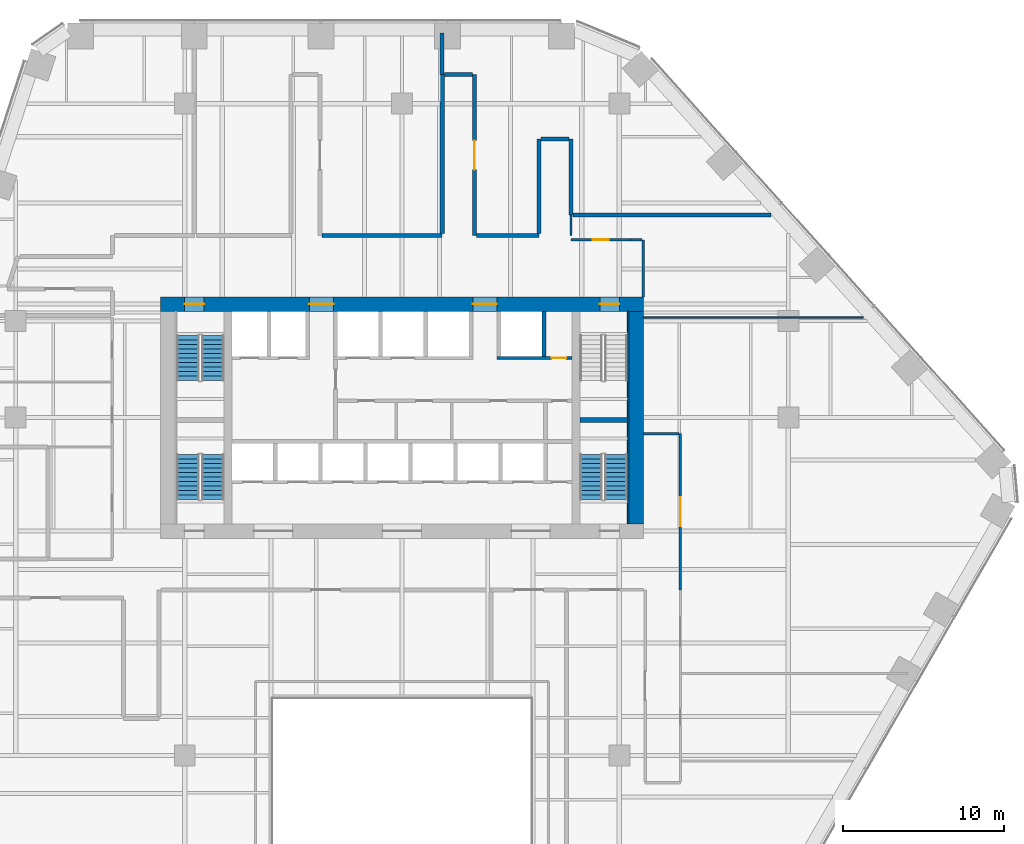
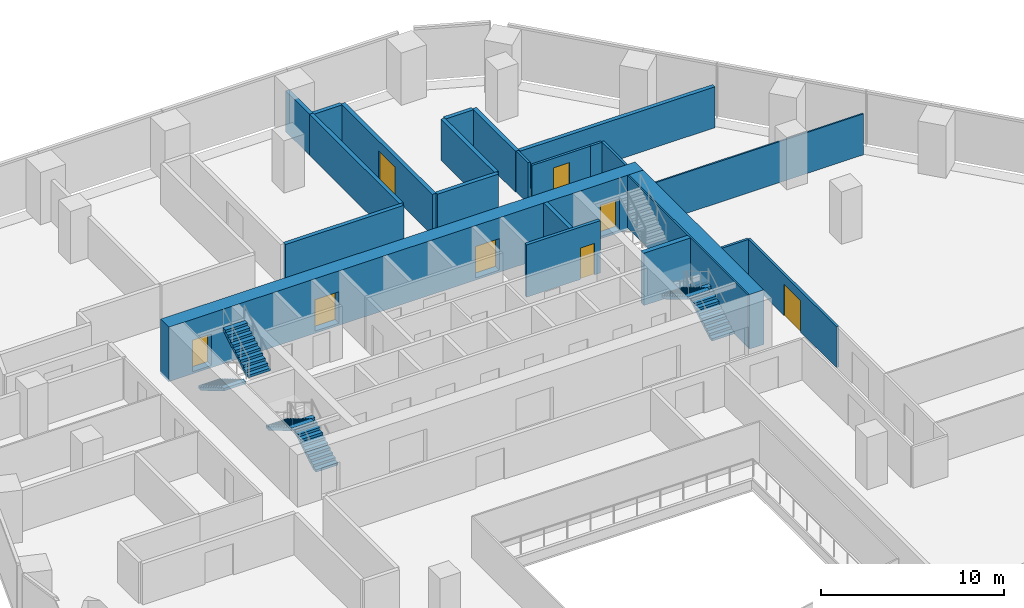
# One storey, part 16 of 21: 23 walls, 8 doors, 6 stair flights, 8 openings, 3 elements without a shape of their own.
"""IFC4 building model written with IfcOpenShell, lengths in metres."""

from ifc_helpers import new_model, si_unit, direction, frame, frame_2d, origin, place, context, subcontext, project, spatial, polyline, rectangle, outline, extrude, material, layer, layer_set, type_object, element, fill, aggregate, save


model = new_model("IFC4")

# Units and contexts
model_context = context("Model", 3, precision=1e-05, world=origin(), true_north=direction((0.0, 1.0)))
body_context = subcontext(model_context, "Body", "Model", "MODEL_VIEW")
ifc_project = project(units=[si_unit("LENGTHUNIT", "METRE"), si_unit("AREAUNIT", "SQUARE_METRE"), si_unit("VOLUMEUNIT", "CUBIC_METRE"), si_unit("PLANEANGLEUNIT", "RADIAN"), si_unit("MASSUNIT", "GRAM", prefix="KILO")], contexts=[model_context])

# Site, building, storey
site_placement = place(None, origin())
site = spatial("IfcSite", under=ifc_project, at=site_placement, CompositionType="ELEMENT")
building_placement = place(site_placement, origin())
building = spatial("IfcBuilding", under=site, at=building_placement, Name="Isthmus Gate Tower", CompositionType="ELEMENT")
storey_placement = place(building_placement, frame((0.0, 0.0, 102.550048828125)))
storey = spatial("IfcBuildingStorey", under=building, at=storey_placement, Name="L24", CompositionType="ELEMENT", Elevation=102.550048828125)

# Wall, opening, door
ifc_material_1 = material(Name="Double-leaf acoustic stud wall, fire-rated", Category="gypsum")
ifc_layer_1 = layer(ifc_material_1, 0.25)
ifc_layer_set_1 = layer_set([ifc_layer_1], Name="ACOUSTIC WALL 250 60 MIN")
wall_type_1 = type_object("IfcWallType", Name="ACOUSTIC WALL 250 60 MIN", PredefinedType="PARTITIONING", material=ifc_layer_set_1)
wall_1_placement = place(storey_placement, frame((4.5, 28.800048828125, 0.0), z_axis=(0.0, 0.0, 1.0), x_axis=(0.0, -1.0, 0.0)))
wall_1 = element("IfcWall", 1, at=wall_1_placement, inside=storey, type_object=wall_type_1, Name="L24 Acoustic Wall 250 60 Min", PredefinedType="PARTITIONING", context=body_context, shape_type="SweptSolid", body=[
    extrude(rectangle(XDim=10.0, YDim=0.25, at=frame_2d((5.0, 0.0))), origin(), (0.0, 0.0, 1.0), 2.7412109375),
])
opening_1_placement = place(wall_1_placement, frame((4.10009765625, 0.0, 0.0)))
opening_1 = element("IfcOpeningElement", 2, at=opening_1_placement, cuts=wall_1, Name="Opening DT-T2C-03", PredefinedType="OPENING", context=body_context, shape_type="SweptSolid", body=[
    extrude(rectangle(XDim=1.800048828125, YDim=2.10009765625, at=frame_2d((0.89990234375, 1.050048828125))), frame((0.0, 0.135009765625, 0.0), z_axis=(0.0, -1.0, 0.0), x_axis=(1.0, 0.0, 0.0)), (0.0, 0.0, 1.0), 0.27001953125),
])
ifc_material_2 = material(Name="Solid core timber door leaf, fire-rated", Category="wood")
door_type_1 = type_object("IfcDoorType", Name="FIRE DOOR ACOUSTIC ROOM 1800 X 2100 60 MIN", OperationType="DOUBLE_DOOR_DOUBLE_SWING", PredefinedType="DOOR", material=ifc_material_2)
door_1_placement = place(opening_1_placement, origin())
door_1 = element("IfcDoor", 3, at=door_1_placement, inside=storey, type_object=door_type_1, Name="L24 room door", OperationType="DOUBLE_DOOR_DOUBLE_SWING", OverallHeight=2.10009765625, OverallWidth=1.800048828125, PredefinedType="DOOR", context=body_context, shape_type="SweptSolid", body=[
    extrude(rectangle(XDim=1.800048828125, YDim=2.10009765625, at=frame_2d((0.89990234375, 1.050048828125))), frame((0.0, 0.02490234375, 0.0), z_axis=(0.0, -1.0, 0.0), x_axis=(1.0, 0.0, 0.0)), (0.0, 0.0, 1.0), 0.050048828125),
])
fill(opening_1, door_1)

# Walls
wall_2_placement = place(storey_placement, frame((10.5, 24.800048828125, 0.0), z_axis=(0.0, 0.0, 1.0), x_axis=(0.0, -1.0, 0.0)))
element("IfcWall", 4, at=wall_2_placement, inside=storey, type_object=wall_type_1, Name="L24 Acoustic Wall 250 60 Min", PredefinedType="PARTITIONING", context=body_context, shape_type="SweptSolid", body=[
    extrude(rectangle(XDim=4.7080078125, YDim=0.25, at=frame_2d((2.35400390625, 0.0))), origin(), (0.0, 0.0, 1.0), 2.7412109375),
])
wall_3_placement = place(storey_placement, frame((-4.97509765625, 18.800048828125, 0.0), z_axis=(0.0, 0.0, 1.0), x_axis=(1.0, 0.0, 0.0)))
element("IfcWall", 5, at=wall_3_placement, inside=storey, type_object=wall_type_1, Name="L24 Acoustic Wall 250 60 Min", PredefinedType="PARTITIONING", context=body_context, shape_type="SweptSolid", body=[
    extrude(rectangle(XDim=7.47509765625, YDim=0.25, at=frame_2d((3.737548828125, 0.0))), origin(), (0.0, 0.0, 1.0), 2.7412109375),
])
wall_4_placement = place(storey_placement, frame((2.5, 18.925048828125, 0.0), z_axis=(0.0, 0.0, 1.0), x_axis=(0.0, 1.0, 0.0)))
element("IfcWall", 6, at=wall_4_placement, inside=storey, type_object=wall_type_1, Name="L24 Acoustic Wall 250 60 Min", PredefinedType="PARTITIONING", context=body_context, shape_type="SweptSolid", body=[
    extrude(rectangle(XDim=9.875, YDim=0.25, at=frame_2d((4.9375, 0.0))), origin(), (0.0, 0.0, 1.0), 2.7412109375),
])
wall_5_placement = place(storey_placement, frame((2.498046875, 28.800048828125, 0.0), z_axis=(0.0, 0.0, 1.0), x_axis=(0.0, 1.0, 0.0)))
element("IfcWall", 7, at=wall_5_placement, inside=storey, type_object=wall_type_1, Name="L24 Acoustic Wall 250 60 Min", PredefinedType="PARTITIONING", context=body_context, shape_type="SweptSolid", body=[
    extrude(rectangle(XDim=2.599853515625, YDim=0.25, at=frame_2d((1.2998046875, 0.0))), origin(), (0.0, 0.0, 1.0), 2.7412109375),
])
wall_6_placement = place(storey_placement, frame((2.625, 28.800048828125, 0.0), z_axis=(0.0, 0.0, 1.0), x_axis=(1.0, 0.0, 0.0)))
element("IfcWall", 8, at=wall_6_placement, inside=storey, type_object=wall_type_1, Name="L24 Acoustic Wall 250 60 Min", PredefinedType="PARTITIONING", context=body_context, shape_type="SweptSolid", body=[
    extrude(rectangle(XDim=1.75, YDim=0.25, at=frame_2d((0.875, 0.0))), origin(), (0.0, 0.0, 1.0), 2.7412109375),
])
wall_7_placement = place(storey_placement, frame((4.625, 18.800048828125, 0.0), z_axis=(0.0, 0.0, 1.0), x_axis=(1.0, 0.0, 0.0)))
element("IfcWall", 9, at=wall_7_placement, inside=storey, type_object=wall_type_1, Name="L24 Acoustic Wall 250 60 Min", PredefinedType="PARTITIONING", context=body_context, shape_type="SweptSolid", body=[
    extrude(rectangle(XDim=3.875, YDim=0.25, at=frame_2d((1.9375, 0.0))), origin(), (0.0, 0.0, 1.0), 2.7412109375),
])
wall_8_placement = place(storey_placement, frame((8.5, 18.925048828125, 0.0), z_axis=(0.0, 0.0, 1.0), x_axis=(0.0, 1.0, 0.0)))
element("IfcWall", 10, at=wall_8_placement, inside=storey, type_object=wall_type_1, Name="L24 Acoustic Wall 250 60 Min", PredefinedType="PARTITIONING", context=body_context, shape_type="SweptSolid", body=[
    extrude(rectangle(XDim=5.875, YDim=0.25, at=frame_2d((2.9375, 0.0))), origin(), (0.0, 0.0, 1.0), 2.7412109375),
])
wall_9_placement = place(storey_placement, frame((8.625, 24.800048828125, 0.0), z_axis=(0.0, 0.0, 1.0), x_axis=(1.0, 0.0, 0.0)))
element("IfcWall", 11, at=wall_9_placement, inside=storey, type_object=wall_type_1, Name="L24 Acoustic Wall 250 60 Min", PredefinedType="PARTITIONING", context=body_context, shape_type="SweptSolid", body=[
    extrude(rectangle(XDim=1.75, YDim=0.25, at=frame_2d((0.875, 0.0))), origin(), (0.0, 0.0, 1.0), 2.7412109375),
])
wall_10_placement = place(storey_placement, frame((10.625, 20.092041015625, 0.0), z_axis=(0.0, 0.0, 1.0), x_axis=(1.0, 0.0, 0.0)))
element("IfcWall", 12, at=wall_10_placement, inside=storey, type_object=wall_type_1, Name="L24 Acoustic Wall 250 60 Min", PredefinedType="PARTITIONING", context=body_context, shape_type="SweptSolid", body=[
    extrude(rectangle(XDim=12.2958984375, YDim=0.25, at=frame_2d((6.14794921875, 0.0))), origin(), (0.0, 0.0, 1.0), 2.7412109375),
])
ifc_material_3 = material(Name="Gypsum board on steel studs, fire-rated", Category="steel")
ifc_layer_2 = layer(ifc_material_3, 0.14990234375)
ifc_layer_set_2 = layer_set([ifc_layer_2], Name="CORRIDOR WALL 150 60 MIN")
wall_type_2 = type_object("IfcWallType", Name="CORRIDOR WALL 150 60 MIN", PredefinedType="PARTITIONING", material=ifc_layer_set_2)
wall_11_placement = place(storey_placement, frame((10.5, 20.092041015625, 0.0), z_axis=(0.0, 0.0, 1.0), x_axis=(0.0, -1.0, 0.0)))
element("IfcWall", 13, at=wall_11_placement, inside=storey, type_object=wall_type_2, Name="L24 Corridor Wall 150 60 Min", PredefinedType="PARTITIONING", context=body_context, shape_type="SweptSolid", body=[
    extrude(rectangle(XDim=1.2900390625, YDim=0.14990234375, at=frame_2d((0.64501953125, 0.0))), origin(), (0.0, 0.0, 1.0), 2.7412109375),
])
wall_12_placement = place(storey_placement, frame((15.0, 18.5419921875, 0.0), z_axis=(0.0, 0.0, 1.0), x_axis=(0.0, -1.0, 0.0)))
element("IfcWall", 14, at=wall_12_placement, inside=storey, type_object=wall_type_2, Name="L24 Corridor Wall 150 60 Min", PredefinedType="PARTITIONING", context=body_context, shape_type="SweptSolid", body=[
    extrude(rectangle(XDim=3.5419921875, YDim=0.14990234375, at=frame_2d((1.77099609375, 0.0))), origin(), (0.0, 0.0, 1.0), 2.7412109375),
])

# Wall, opening, door
wall_13_placement = place(storey_placement, frame((17.298095703125, 6.5, 0.0), z_axis=(0.0, 0.0, 1.0), x_axis=(0.0, -1.0, 0.0)))
wall_13 = element("IfcWall", 15, at=wall_13_placement, inside=storey, type_object=wall_type_2, Name="L24 Corridor Wall 150 60 Min", PredefinedType="PARTITIONING", context=body_context, shape_type="SweptSolid", body=[
    extrude(rectangle(XDim=9.701904296875, YDim=0.14990234375, at=frame_2d((4.85107421875, 0.0))), origin(), (0.0, 0.0, 1.0), 2.7412109375),
])
opening_2_placement = place(wall_13_placement, frame((3.950927734375, 0.0, 0.0)))
opening_2 = element("IfcOpeningElement", 16, at=opening_2_placement, cuts=wall_13, Name="Opening DT-T2C-08", PredefinedType="OPENING", context=body_context, shape_type="SweptSolid", body=[
    extrude(rectangle(XDim=1.800048828125, YDim=2.10009765625, at=frame_2d((0.89990234375, 1.050048828125))), frame((0.0, 0.0849609375, 0.0), z_axis=(0.0, -1.0, 0.0), x_axis=(1.0, 0.0, 0.0)), (0.0, 0.0, 1.0), 0.169921875),
])
ifc_material_4 = material(Name="Solid core timber door leaf, fire-rated", Category="wood")
door_type_2 = type_object("IfcDoorType", Name="FIRE DOOR ROOM 1800 X 2100 60 MIN", OperationType="DOUBLE_DOOR_DOUBLE_SWING", PredefinedType="DOOR", material=ifc_material_4)
door_2_placement = place(opening_2_placement, origin())
door_2 = element("IfcDoor", 17, at=door_2_placement, inside=storey, type_object=door_type_2, Name="L24 room door", OperationType="DOUBLE_DOOR_DOUBLE_SWING", OverallHeight=2.10009765625, OverallWidth=1.800048828125, PredefinedType="DOOR", context=body_context, shape_type="SweptSolid", body=[
    extrude(rectangle(XDim=1.800048828125, YDim=2.10009765625, at=frame_2d((0.89990234375, 1.050048828125))), frame((0.0, 0.02490234375, 0.0), z_axis=(0.0, -1.0, 0.0), x_axis=(1.0, 0.0, 0.0)), (0.0, 0.0, 1.0), 0.050048828125),
])
fill(opening_2, door_2)

wall_14_placement = place(storey_placement, frame((10.498046875, 18.5400390625, 0.0), z_axis=(0.0, 0.0, 1.0), x_axis=(1.0, 0.0, 0.0)))
wall_14 = element("IfcWall", 18, at=wall_14_placement, inside=storey, type_object=wall_type_2, Name="L24 Corridor Wall 150 60 Min", PredefinedType="PARTITIONING", context=body_context, shape_type="SweptSolid", body=[
    extrude(rectangle(XDim=3.701904296875, YDim=0.14990234375, at=frame_2d((1.85107421875, 0.0))), origin(), (0.0, 0.0, 1.0), 2.7412109375),
])
opening_3_placement = place(wall_14_placement, frame((1.35107421875, 0.0, 0.0)))
opening_3 = element("IfcOpeningElement", 19, at=opening_3_placement, cuts=wall_14, Name="Opening DT-T2C-04", PredefinedType="OPENING", context=body_context, shape_type="SweptSolid", body=[
    extrude(rectangle(XDim=1.0, YDim=2.10009765625, at=frame_2d((0.5, 1.050048828125))), frame((0.0, 0.0849609375, 0.0), z_axis=(0.0, -1.0, 0.0), x_axis=(1.0, 0.0, 0.0)), (0.0, 0.0, 1.0), 0.169921875),
])
ifc_material_5 = material(Name="Solid core timber door leaf, fire-rated", Category="wood")
door_type_3 = type_object("IfcDoorType", Name="FIRE DOOR ROOM 1000 X 2100 60 MIN", OperationType="SINGLE_SWING_LEFT", PredefinedType="DOOR", material=ifc_material_5)
door_3_placement = place(opening_3_placement, origin())
door_3 = element("IfcDoor", 20, at=door_3_placement, inside=storey, type_object=door_type_3, Name="L24 room door", OperationType="SINGLE_SWING_RIGHT", OverallHeight=2.10009765625, OverallWidth=1.0, PredefinedType="DOOR", context=body_context, shape_type="SweptSolid", body=[
    extrude(rectangle(XDim=1.0, YDim=2.10009765625, at=frame_2d((0.5, 1.050048828125))), frame((0.0, 0.02490234375, 0.0), z_axis=(0.0, -1.0, 0.0), x_axis=(1.0, 0.0, 0.0)), (0.0, 0.0, 1.0), 0.050048828125),
])
fill(opening_3, door_3)

# Walls
wall_15_placement = place(storey_placement, frame((14.199951171875, 18.5439453125, 0.0), z_axis=(0.0, 0.0, 1.0), x_axis=(0.999997222517, -0.002356895811, 0.0)))
element("IfcWall", 21, at=wall_15_placement, inside=storey, type_object=wall_type_2, Name="L24 Corridor Wall 150 60 Min", PredefinedType="PARTITIONING", context=body_context, shape_type="SweptSolid", body=[
    extrude(rectangle(XDim=0.72509765625, YDim=0.14990234375, at=frame_2d((0.362548828125, 0.0))), origin(), (0.0, 0.0, 1.0), 2.7412109375),
])
wall_16_placement = place(storey_placement, frame((15.0, 6.5, 0.0), z_axis=(0.0, 0.0, 1.0), x_axis=(1.0, 0.0, 0.0)))
element("IfcWall", 22, at=wall_16_placement, inside=storey, type_object=wall_type_2, Name="L24 Corridor Wall 150 60 Min", PredefinedType="PARTITIONING", context=body_context, shape_type="SweptSolid", body=[
    extrude(rectangle(XDim=2.222900390625, YDim=0.14990234375, at=frame_2d((1.111328125, 0.0))), origin(), (0.0, 0.0, 1.0), 2.7412109375),
])

# Wall, openings, doors
ifc_material_6 = material(Name="Concrete f'c 70 MPa", Category="concrete")
ifc_layer_3 = layer(ifc_material_6, 0.89990234375)
ifc_layer_set_3 = layer_set([ifc_layer_3], Name="RC CORE WALL 900 F'C 70")
wall_type_3 = type_object("IfcWallType", Name="RC CORE WALL 900 F'C 70", PredefinedType="SOLIDWALL", material=ifc_layer_set_3)
wall_17_placement = place(storey_placement, frame((-15.0, 14.550048828125, -0.150146484375), z_axis=(0.0, 0.0, 1.0), x_axis=(1.0, 0.0, 0.0)))
wall_17 = element("IfcWall", 23, at=wall_17_placement, inside=storey, type_object=wall_type_3, Name="str-corewall-L24-N", PredefinedType="SOLIDWALL", context=body_context, shape_type="SweptSolid", body=[
    extrude(rectangle(XDim=30.0, YDim=0.89990234375, at=frame_2d((15.0, 0.0))), origin(), (0.0, 0.0, 1.0), 3.650146484375),
])
opening_4_placement = place(wall_17_placement, frame((9.25, 0.0, 0.14990234375)))
opening_4 = element("IfcOpeningElement", 24, at=opening_4_placement, cuts=wall_17, Name="Opening DC-A05-11", PredefinedType="OPENING", context=body_context, shape_type="SweptSolid", body=[
    extrude(rectangle(XDim=1.5, YDim=2.10009765625, at=frame_2d((0.75, 1.050048828125))), frame((0.0, 0.4599609375, 0.0), z_axis=(0.0, -1.0, 0.0), x_axis=(1.0, 0.0, 0.0)), (0.0, 0.0, 1.0), 0.919921875),
])
opening_5_placement = place(wall_17_placement, frame((19.39990234375, 0.0, 0.14990234375)))
opening_5 = element("IfcOpeningElement", 25, at=opening_5_placement, cuts=wall_17, Name="Opening DC-A05-12", PredefinedType="OPENING", context=body_context, shape_type="SweptSolid", body=[
    extrude(rectangle(XDim=1.5, YDim=2.10009765625, at=frame_2d((0.75, 1.050048828125))), frame((0.0, 0.4599609375, 0.0), z_axis=(0.0, -1.0, 0.0), x_axis=(1.0, 0.0, 0.0)), (0.0, 0.0, 1.0), 0.919921875),
])
opening_6_placement = place(wall_17_placement, frame((1.5, 0.0, 0.14990234375)))
opening_6 = element("IfcOpeningElement", 26, at=opening_6_placement, cuts=wall_17, Name="Opening DC-A05-13", PredefinedType="OPENING", context=body_context, shape_type="SweptSolid", body=[
    extrude(rectangle(XDim=1.199951171875, YDim=2.10009765625, at=frame_2d((0.60009765625, 1.050048828125))), frame((0.0, 0.4599609375, 0.0), z_axis=(0.0, -1.0, 0.0), x_axis=(1.0, 0.0, 0.0)), (0.0, 0.0, 1.0), 0.919921875),
])
opening_7_placement = place(wall_17_placement, frame((27.300048828125, 0.0, 0.14990234375)))
opening_7 = element("IfcOpeningElement", 27, at=opening_7_placement, cuts=wall_17, Name="Opening DC-A05-14", PredefinedType="OPENING", context=body_context, shape_type="SweptSolid", body=[
    extrude(rectangle(XDim=1.199951171875, YDim=2.10009765625, at=frame_2d((0.60009765625, 1.050048828125))), frame((0.0, 0.4599609375, 0.0), z_axis=(0.0, -1.0, 0.0), x_axis=(1.0, 0.0, 0.0)), (0.0, 0.0, 1.0), 0.919921875),
])
ifc_material_7 = material(Name="Steel door leaf, fire-rated", Category="steel")
door_type_4 = type_object("IfcDoorType", Name="LOBBY FIRE DOOR 1500 X 2100 60 MIN", OperationType="DOUBLE_DOOR_SINGLE_SWING", PredefinedType="DOOR", material=ifc_material_7)
door_4_placement = place(opening_5_placement, origin())
door_4 = element("IfcDoor", 28, at=door_4_placement, inside=storey, type_object=door_type_4, Name="Lobby Door PN-E", OperationType="DOUBLE_DOOR_SINGLE_SWING", OverallHeight=2.10009765625, OverallWidth=1.5, PredefinedType="DOOR", context=body_context, shape_type="SweptSolid", body=[
    extrude(rectangle(XDim=1.5, YDim=2.10009765625, at=frame_2d((0.75, 1.050048828125))), frame((0.0, 0.02490234375, 0.0), z_axis=(0.0, -1.0, 0.0), x_axis=(1.0, 0.0, 0.0)), (0.0, 0.0, 1.0), 0.050048828125),
])
fill(opening_5, door_4)
ifc_material_8 = material(Name="Steel door leaf, fire-rated", Category="steel")
door_type_5 = type_object("IfcDoorType", Name="LOBBY FIRE DOOR 1500 X 2100 90 MIN", OperationType="DOUBLE_DOOR_SINGLE_SWING", PredefinedType="DOOR", material=ifc_material_8)
door_5_placement = place(opening_4_placement, origin())
door_5 = element("IfcDoor", 29, at=door_5_placement, inside=storey, type_object=door_type_5, Name="Lobby Door PN-W", OperationType="DOUBLE_DOOR_SINGLE_SWING", OverallHeight=2.10009765625, OverallWidth=1.5, PredefinedType="DOOR", context=body_context, shape_type="SweptSolid", body=[
    extrude(rectangle(XDim=1.5, YDim=2.10009765625, at=frame_2d((0.75, 1.050048828125))), frame((0.0, 0.02490234375, 0.0), z_axis=(0.0, -1.0, 0.0), x_axis=(1.0, 0.0, 0.0)), (0.0, 0.0, 1.0), 0.050048828125),
])
fill(opening_4, door_5)
ifc_material_9 = material(Name="Steel door leaf, fire-rated", Category="steel")
door_type_6 = type_object("IfcDoorType", Name="STAIR FIRE DOOR 1200 X 2100 90 MIN", OperationType="SINGLE_SWING_LEFT", PredefinedType="DOOR", material=ifc_material_9)
door_6_placement = place(opening_6_placement, origin())
door_6 = element("IfcDoor", 30, at=door_6_placement, inside=storey, type_object=door_type_6, Name="Exit Stair 1 Door", OperationType="SINGLE_SWING_RIGHT", OverallHeight=2.10009765625, OverallWidth=1.199951171875, PredefinedType="DOOR", context=body_context, shape_type="SweptSolid", body=[
    extrude(rectangle(XDim=1.199951171875, YDim=2.10009765625, at=frame_2d((0.60009765625, 1.050048828125))), frame((0.0, 0.02490234375, 0.0), z_axis=(0.0, -1.0, 0.0), x_axis=(1.0, 0.0, 0.0)), (0.0, 0.0, 1.0), 0.050048828125),
])
fill(opening_6, door_6)
door_7_placement = place(opening_7_placement, origin())
door_7 = element("IfcDoor", 31, at=door_7_placement, inside=storey, type_object=door_type_6, Name="Exit Stair 2 Door", OperationType="SINGLE_SWING_LEFT", OverallHeight=2.10009765625, OverallWidth=1.199951171875, PredefinedType="DOOR", context=body_context, shape_type="SweptSolid", body=[
    extrude(rectangle(XDim=1.199951171875, YDim=2.10009765625, at=frame_2d((0.60009765625, 1.050048828125))), frame((0.0, 0.02490234375, 0.0), z_axis=(0.0, -1.0, 0.0), x_axis=(1.0, 0.0, 0.0)), (0.0, 0.0, 1.0), 0.050048828125),
])
fill(opening_7, door_7)

# Walls
wall_18_placement = place(storey_placement, frame((14.550048828125, 0.89990234375, -0.150146484375), z_axis=(0.0, 0.0, 1.0), x_axis=(0.0, 1.0, 0.0)))
element("IfcWall", 32, at=wall_18_placement, inside=storey, type_object=wall_type_3, Name="str-corewall-L24-E", PredefinedType="SOLIDWALL", context=body_context, shape_type="SweptSolid", body=[
    extrude(rectangle(XDim=13.2001953125, YDim=0.89990234375, at=frame_2d((6.60009765625, 0.0))), origin(), (0.0, 0.0, 1.0), 3.650146484375),
])
ifc_material_10 = material(Name="Gypsum board on steel studs, fire-rated", Category="steel")
ifc_layer_4 = layer(ifc_material_10, 0.10009765625)
ifc_layer_set_4 = layer_set([ifc_layer_4], Name="ROOM PARTITION 100 30 MIN")
wall_type_4 = type_object("IfcWallType", Name="ROOM PARTITION 100 30 MIN", PredefinedType="PARTITIONING", material=ifc_layer_set_4)
wall_19_placement = place(storey_placement, frame((15.0, 13.708984375, 0.0), z_axis=(0.0, 0.0, 1.0), x_axis=(1.0, 0.0, 0.0)))
element("IfcWall", 33, at=wall_19_placement, inside=storey, type_object=wall_type_4, Name="L24 Room Partition 100 30 Min", PredefinedType="PARTITIONING", context=body_context, shape_type="SweptSolid", body=[
    extrude(rectangle(XDim=13.66796875, YDim=0.10009765625, at=frame_2d((6.833984375, 0.0))), origin(), (0.0, 0.0, 1.0), 2.7412109375),
])

# Wall, opening, door
ifc_material_11 = material(Name="Fire-rated blockwork masonry, 15 MPa", Category="masonry")
ifc_layer_5 = layer(ifc_material_11, 0.199951171875)
ifc_layer_set_5 = layer_set([ifc_layer_5], Name="SHAFT FRONT WALL 200 120 MIN")
wall_type_5 = type_object("IfcWallType", Name="SHAFT FRONT WALL 200 120 MIN", PredefinedType="PARTITIONING", material=ifc_layer_set_5)
wall_20_placement = place(storey_placement, frame((5.89990234375, 11.199951171875, 0.0), z_axis=(0.0, 0.0, 1.0), x_axis=(1.0, 0.0, 0.0)))
wall_20 = element("IfcWall", 34, at=wall_20_placement, inside=storey, type_object=wall_type_5, Name="L24 SHAFT FRONT WALL 200 120 MIN", PredefinedType="PARTITIONING", context=body_context, shape_type="SweptSolid", body=[
    extrude(rectangle(XDim=4.650146484375, YDim=0.199951171875, at=frame_2d((2.3251953125, 0.0))), origin(), (0.0, 0.0, 1.0), 3.5),
])
opening_8_placement = place(wall_20_placement, frame((3.39990234375, 0.0, 0.0)))
opening_8 = element("IfcOpeningElement", 35, at=opening_8_placement, cuts=wall_20, Name="Opening DC-A05-07", PredefinedType="OPENING", context=body_context, shape_type="SweptSolid", body=[
    extrude(rectangle(XDim=0.89990234375, YDim=2.10009765625, at=frame_2d((0.449951171875, 1.050048828125))), frame((0.0, 0.10986328125, 0.0), z_axis=(0.0, -1.0, 0.0), x_axis=(1.0, 0.0, 0.0)), (0.0, 0.0, 1.0), 0.219970703125),
])
ifc_material_12 = material(Name="Steel door leaf, fire-rated", Category="steel")
door_type_7 = type_object("IfcDoorType", Name="RISER FIRE DOOR 900 X 2100 90 MIN", OperationType="SINGLE_SWING_LEFT", PredefinedType="DOOR", material=ifc_material_12)
door_8_placement = place(opening_8_placement, origin())
door_8 = element("IfcDoor", 36, at=door_8_placement, inside=storey, type_object=door_type_7, Name="Riser Door", OperationType="SINGLE_SWING_LEFT", OverallHeight=2.10009765625, OverallWidth=0.89990234375, PredefinedType="DOOR", context=body_context, shape_type="SweptSolid", body=[
    extrude(rectangle(XDim=0.89990234375, YDim=2.10009765625, at=frame_2d((0.449951171875, 1.050048828125))), frame((0.0, 0.02490234375, 0.0), z_axis=(0.0, -1.0, 0.0), x_axis=(1.0, 0.0, 0.0)), (0.0, 0.0, 1.0), 0.050048828125),
])
fill(opening_8, door_8)

# Walls
ifc_material_13 = material(Name="Fire-rated blockwork masonry, 15 MPa", Category="masonry")
ifc_layer_6 = layer(ifc_material_13, 0.25)
ifc_layer_set_6 = layer_set([ifc_layer_6], Name="SHAFT WALL 250 120 MIN")
wall_type_6 = type_object("IfcWallType", Name="SHAFT WALL 250 120 MIN", PredefinedType="PARTITIONING", material=ifc_layer_set_6)
wall_21_placement = place(storey_placement, frame((8.824951171875, 11.300048828125, 0.0), z_axis=(0.0, 0.0, 1.0), x_axis=(0.0, 1.0, 0.0)))
element("IfcWall", 37, at=wall_21_placement, inside=storey, type_object=wall_type_6, Name="L24 SHAFT WALL 250 120 MIN", PredefinedType="PARTITIONING", context=body_context, shape_type="SweptSolid", body=[
    extrude(rectangle(XDim=2.800048828125, YDim=0.25, at=frame_2d((1.39990234375, 0.0))), origin(), (0.0, 0.0, 1.0), 3.5),
])
ifc_material_14 = material(Name="Concrete f'c 40 MPa", Category="concrete")
ifc_layer_7 = layer(ifc_material_14, 0.10009765625)
ifc_layer_set_7 = layer_set([ifc_layer_7], Name="STAIR ENCLOSURE WALL 100 180 MIN")
wall_type_7 = type_object("IfcWallType", Name="STAIR ENCLOSURE WALL 100 180 MIN", PredefinedType="SOLIDWALL", material=ifc_layer_set_7)
wall_22_placement = place(storey_placement, frame((14.050048828125, 0.89990234375, 0.0), z_axis=(0.0, 0.0, 1.0), x_axis=(0.0, 1.0, 0.0)))
element("IfcWall", 38, at=wall_22_placement, inside=storey, type_object=wall_type_7, Name="L24 STAIR ENCLOSURE WALL 100 180 MIN", PredefinedType="SOLIDWALL", context=body_context, shape_type="SweptSolid", body=[
    extrude(rectangle(XDim=13.2001953125, YDim=0.10009765625, at=frame_2d((6.60009765625, 0.0))), origin(), (0.0, 0.0, 1.0), 3.5),
])
ifc_material_15 = material(Name="Concrete f'c 40 MPa", Category="concrete")
ifc_layer_8 = layer(ifc_material_15, 0.300048828125)
ifc_layer_set_8 = layer_set([ifc_layer_8], Name="STAIR ENCLOSURE WALL 300 180 MIN")
wall_type_8 = type_object("IfcWallType", Name="STAIR ENCLOSURE WALL 300 180 MIN", PredefinedType="SOLIDWALL", material=ifc_layer_set_8)
wall_23_placement = place(storey_placement, frame((11.050048828125, 7.35009765625, 0.0), z_axis=(0.0, 0.0, 1.0), x_axis=(1.0, 0.0, 0.0)))
element("IfcWall", 39, at=wall_23_placement, inside=storey, type_object=wall_type_8, Name="L24 STAIR ENCLOSURE WALL 300 180 MIN", PredefinedType="SOLIDWALL", context=body_context, shape_type="SweptSolid", body=[
    extrude(rectangle(XDim=2.949951171875, YDim=0.300048828125, at=frame_2d((1.47509765625, 0.0))), origin(), (0.0, 0.0, 1.0), 3.5),
])

# Stair, stair flights
ifc_material_16 = material(Name="Concrete f'c 40 MPa", Category="concrete")
stair_type = type_object("IfcStairType", Name="CORE STAIR 22 RISERS", PredefinedType="HALF_TURN_STAIR", material=ifc_material_16)
stair_1_placement = place(storey_placement, origin())
stair_1 = element("IfcStair", 40, at=stair_1_placement, inside=storey, type_object=stair_type, Name="L24 Exit Stair 1", PredefinedType="HALF_TURN_STAIR")
ifc_material_17 = material(Name="Concrete f'c 40 MPa", Category="concrete")
stair_flight_type = type_object("IfcStairFlightType", Name="STAIR FLIGHT RC 1400", PredefinedType="STRAIGHT", material=ifc_material_17)
stair_flight_1_placement = place(storey_placement, frame((-13.300048828125, 12.60009765625, 0.0), z_axis=(0.0, 0.0, 1.0), x_axis=(0.0, -1.0, 0.0)))
stair_flight_1 = element("IfcStairFlight", 41, at=stair_flight_1_placement, type_object=stair_flight_type, Name="ST1 flight 1", NumberOfRisers=11, NumberOfTreads=10, PredefinedType="STRAIGHT", RiserHeight=0.165909091, TreadLength=0.28, context=body_context, shape_type="SweptSolid", body=[
    extrude(outline(polyline([(0.0, 0.0), (0.0, 0.166015625), (0.280029296875, 0.166015625), (0.280029296875, 0.331787109375), (0.56005859375, 0.331787109375), (0.56005859375, 0.497802734375), (0.840087890625, 0.497802734375), (0.840087890625, 0.66357421875), (1.1201171875, 0.66357421875), (1.1201171875, 0.82958984375), (1.39990234375, 0.82958984375), (1.39990234375, 0.995361328125), (1.679931640625, 0.995361328125), (1.679931640625, 1.161376953125), (1.9599609375, 1.161376953125), (1.9599609375, 1.327392578125), (2.239990234375, 1.327392578125), (2.239990234375, 1.4931640625), (2.52001953125, 1.4931640625), (2.52001953125, 1.6591796875), (2.800048828125, 1.6591796875), (2.800048828125, 1.824951171875), (2.800048828125, 1.48486328125), (0.2939453125, 0.0), (0.0, 0.0)])), frame((0.0, 0.699951171875, 0.0), z_axis=(0.0, -1.0, 0.0), x_axis=(1.0, 0.0, 0.0)), (0.0, 0.0, 1.0), 1.39990234375),
])
stair_flight_2_placement = place(storey_placement, frame((-11.75, 9.800048828125, 1.824951171875), z_axis=(0.0, 0.0, 1.0), x_axis=(0.0, 1.0, 0.0)))
stair_flight_2 = element("IfcStairFlight", 42, at=stair_flight_2_placement, type_object=stair_flight_type, Name="ST1 flight 2", NumberOfRisers=11, NumberOfTreads=10, PredefinedType="STRAIGHT", RiserHeight=0.165909091, TreadLength=0.28, context=body_context, shape_type="SweptSolid", body=[
    extrude(outline(polyline([(0.0, 0.0), (0.0, 0.166015625), (0.280029296875, 0.166015625), (0.280029296875, 0.331787109375), (0.56005859375, 0.331787109375), (0.56005859375, 0.497802734375), (0.840087890625, 0.497802734375), (0.840087890625, 0.66357421875), (1.1201171875, 0.66357421875), (1.1201171875, 0.82958984375), (1.39990234375, 0.82958984375), (1.39990234375, 0.995361328125), (1.679931640625, 0.995361328125), (1.679931640625, 1.161376953125), (1.9599609375, 1.161376953125), (1.9599609375, 1.327392578125), (2.239990234375, 1.327392578125), (2.239990234375, 1.4931640625), (2.52001953125, 1.4931640625), (2.52001953125, 1.6591796875), (2.800048828125, 1.6591796875), (2.800048828125, 1.824951171875), (2.800048828125, 1.48486328125), (0.2939453125, 0.0), (0.0, 0.0)])), frame((0.0, 0.699951171875, 0.0), z_axis=(0.0, -1.0, 0.0), x_axis=(1.0, 0.0, 0.0)), (0.0, 0.0, 1.0), 1.39990234375),
])
aggregate(stair_1, [stair_flight_1, stair_flight_2])

stair_2_placement = place(storey_placement, origin())
stair_2 = element("IfcStair", 43, at=stair_2_placement, inside=storey, type_object=stair_type, Name="L24 Exit Stair 7", PredefinedType="HALF_TURN_STAIR")
stair_flight_3_placement = place(storey_placement, frame((-11.75, 2.39990234375, 0.0), z_axis=(0.0, 0.0, 1.0), x_axis=(0.0, 1.0, 0.0)))
stair_flight_3 = element("IfcStairFlight", 44, at=stair_flight_3_placement, type_object=stair_flight_type, Name="ST7 flight 1", NumberOfRisers=11, NumberOfTreads=10, PredefinedType="STRAIGHT", RiserHeight=0.165909091, TreadLength=0.28, context=body_context, shape_type="SweptSolid", body=[
    extrude(outline(polyline([(0.0, 0.0), (0.0, 0.166015625), (0.280029296875, 0.166015625), (0.280029296875, 0.331787109375), (0.56005859375, 0.331787109375), (0.56005859375, 0.497802734375), (0.840087890625, 0.497802734375), (0.840087890625, 0.66357421875), (1.1201171875, 0.66357421875), (1.1201171875, 0.82958984375), (1.39990234375, 0.82958984375), (1.39990234375, 0.995361328125), (1.679931640625, 0.995361328125), (1.679931640625, 1.161376953125), (1.9599609375, 1.161376953125), (1.9599609375, 1.327392578125), (2.239990234375, 1.327392578125), (2.239990234375, 1.4931640625), (2.52001953125, 1.4931640625), (2.52001953125, 1.6591796875), (2.800048828125, 1.6591796875), (2.800048828125, 1.824951171875), (2.800048828125, 1.48486328125), (0.2939453125, 0.0), (0.0, 0.0)])), frame((0.0, 0.699951171875, 0.0), z_axis=(0.0, -1.0, 0.0), x_axis=(1.0, 0.0, 0.0)), (0.0, 0.0, 1.0), 1.39990234375),
])
stair_flight_4_placement = place(storey_placement, frame((-13.300048828125, 5.199951171875, 1.824951171875), z_axis=(0.0, 0.0, 1.0), x_axis=(0.0, -1.0, 0.0)))
stair_flight_4 = element("IfcStairFlight", 45, at=stair_flight_4_placement, type_object=stair_flight_type, Name="ST7 flight 2", NumberOfRisers=11, NumberOfTreads=10, PredefinedType="STRAIGHT", RiserHeight=0.165909091, TreadLength=0.28, context=body_context, shape_type="SweptSolid", body=[
    extrude(outline(polyline([(0.0, 0.0), (0.0, 0.166015625), (0.280029296875, 0.166015625), (0.280029296875, 0.331787109375), (0.56005859375, 0.331787109375), (0.56005859375, 0.497802734375), (0.840087890625, 0.497802734375), (0.840087890625, 0.66357421875), (1.1201171875, 0.66357421875), (1.1201171875, 0.82958984375), (1.39990234375, 0.82958984375), (1.39990234375, 0.995361328125), (1.679931640625, 0.995361328125), (1.679931640625, 1.161376953125), (1.9599609375, 1.161376953125), (1.9599609375, 1.327392578125), (2.239990234375, 1.327392578125), (2.239990234375, 1.4931640625), (2.52001953125, 1.4931640625), (2.52001953125, 1.6591796875), (2.800048828125, 1.6591796875), (2.800048828125, 1.824951171875), (2.800048828125, 1.48486328125), (0.2939453125, 0.0), (0.0, 0.0)])), frame((0.0, 0.699951171875, 0.0), z_axis=(0.0, -1.0, 0.0), x_axis=(1.0, 0.0, 0.0)), (0.0, 0.0, 1.0), 1.39990234375),
])
aggregate(stair_2, [stair_flight_3, stair_flight_4])

stair_3_placement = place(storey_placement, origin())
stair_3 = element("IfcStair", 46, at=stair_3_placement, inside=storey, type_object=stair_type, Name="L24 Exit Stair 8", PredefinedType="HALF_TURN_STAIR")
stair_flight_5_placement = place(storey_placement, frame((13.300048828125, 2.39990234375, 0.0), z_axis=(0.0, 0.0, 1.0), x_axis=(0.0, 1.0, 0.0)))
stair_flight_5 = element("IfcStairFlight", 47, at=stair_flight_5_placement, type_object=stair_flight_type, Name="ST8 flight 1", NumberOfRisers=11, NumberOfTreads=10, PredefinedType="STRAIGHT", RiserHeight=0.165909091, TreadLength=0.28, context=body_context, shape_type="SweptSolid", body=[
    extrude(outline(polyline([(0.0, 0.0), (0.0, 0.166015625), (0.280029296875, 0.166015625), (0.280029296875, 0.331787109375), (0.56005859375, 0.331787109375), (0.56005859375, 0.497802734375), (0.840087890625, 0.497802734375), (0.840087890625, 0.66357421875), (1.1201171875, 0.66357421875), (1.1201171875, 0.82958984375), (1.39990234375, 0.82958984375), (1.39990234375, 0.995361328125), (1.679931640625, 0.995361328125), (1.679931640625, 1.161376953125), (1.9599609375, 1.161376953125), (1.9599609375, 1.327392578125), (2.239990234375, 1.327392578125), (2.239990234375, 1.4931640625), (2.52001953125, 1.4931640625), (2.52001953125, 1.6591796875), (2.800048828125, 1.6591796875), (2.800048828125, 1.824951171875), (2.800048828125, 1.48486328125), (0.2939453125, 0.0), (0.0, 0.0)])), frame((0.0, 0.699951171875, 0.0), z_axis=(0.0, -1.0, 0.0), x_axis=(1.0, 0.0, 0.0)), (0.0, 0.0, 1.0), 1.39990234375),
])
stair_flight_6_placement = place(storey_placement, frame((11.75, 5.199951171875, 1.824951171875), z_axis=(0.0, 0.0, 1.0), x_axis=(0.0, -1.0, 0.0)))
stair_flight_6 = element("IfcStairFlight", 48, at=stair_flight_6_placement, type_object=stair_flight_type, Name="ST8 flight 2", NumberOfRisers=11, NumberOfTreads=10, PredefinedType="STRAIGHT", RiserHeight=0.165909091, TreadLength=0.28, context=body_context, shape_type="SweptSolid", body=[
    extrude(outline(polyline([(0.0, 0.0), (0.0, 0.166015625), (0.280029296875, 0.166015625), (0.280029296875, 0.331787109375), (0.56005859375, 0.331787109375), (0.56005859375, 0.497802734375), (0.840087890625, 0.497802734375), (0.840087890625, 0.66357421875), (1.1201171875, 0.66357421875), (1.1201171875, 0.82958984375), (1.39990234375, 0.82958984375), (1.39990234375, 0.995361328125), (1.679931640625, 0.995361328125), (1.679931640625, 1.161376953125), (1.9599609375, 1.161376953125), (1.9599609375, 1.327392578125), (2.239990234375, 1.327392578125), (2.239990234375, 1.4931640625), (2.52001953125, 1.4931640625), (2.52001953125, 1.6591796875), (2.800048828125, 1.6591796875), (2.800048828125, 1.824951171875), (2.800048828125, 1.48486328125), (0.2939453125, 0.0), (0.0, 0.0)])), frame((0.0, 0.699951171875, 0.0), z_axis=(0.0, -1.0, 0.0), x_axis=(1.0, 0.0, 0.0)), (0.0, 0.0, 1.0), 1.39990234375),
])
aggregate(stair_3, [stair_flight_5, stair_flight_6])

save(model, "model.ifc")
